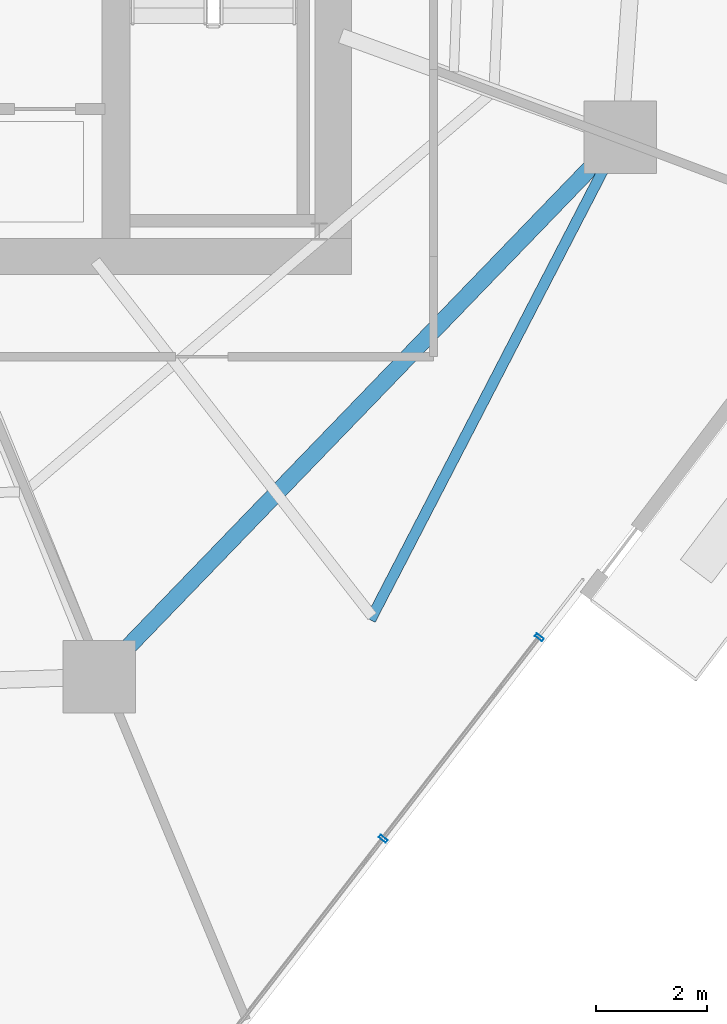
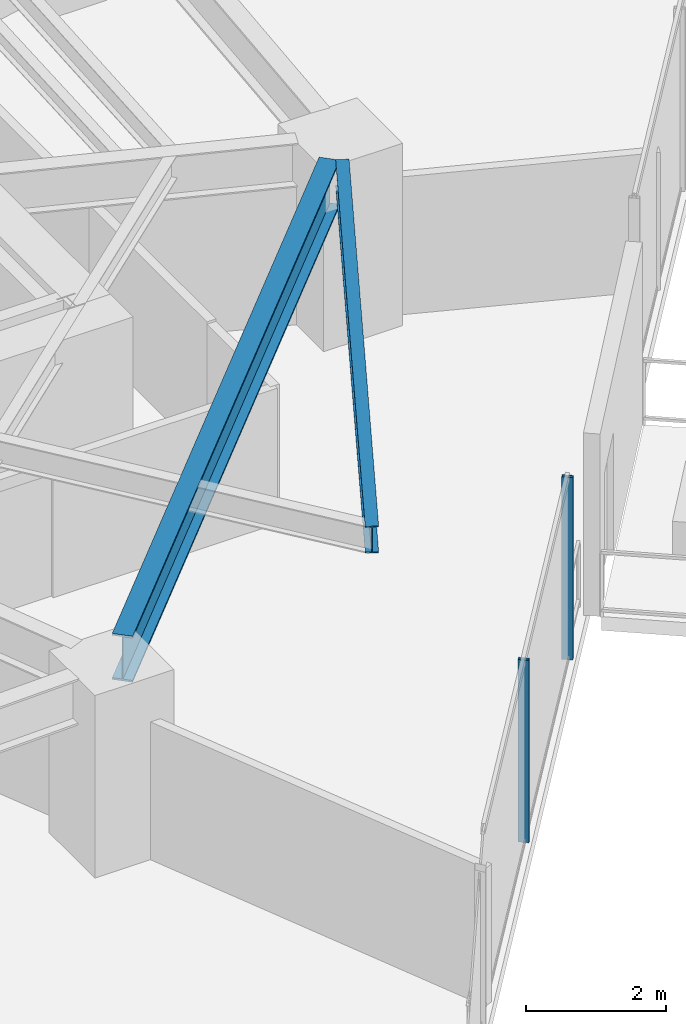
# One storey, part 11 of 30: 2 beams, 2 members, 1 element without a shape of its own.
"""IFC4 building model written with IfcOpenShell, lengths in metres."""

from ifc_helpers import new_model, si_unit, direction, frame, origin, origin_2d, place, context, subcontext, project, spatial, hollow_rectangle, i_section, extrude, material, layer, layer_set, material_profile, profile_set, type_object, element, aggregate, save


model = new_model("IFC4")

# Units and contexts
model_context = context("Model", 3, precision=1e-05, world=origin(), true_north=direction((0.0, 1.0)))
body_context = subcontext(model_context, "Body", "Model", "MODEL_VIEW")
ifc_project = project(units=[si_unit("LENGTHUNIT", "METRE"), si_unit("AREAUNIT", "SQUARE_METRE"), si_unit("VOLUMEUNIT", "CUBIC_METRE"), si_unit("PLANEANGLEUNIT", "RADIAN"), si_unit("MASSUNIT", "GRAM", prefix="KILO")], contexts=[model_context])

# Site, building, storey
site_placement = place(None, origin())
site = spatial("IfcSite", under=ifc_project, at=site_placement, CompositionType="ELEMENT")
building_placement = place(site_placement, origin())
building = spatial("IfcBuilding", under=site, at=building_placement, Name="Qarnah Convention Tower", CompositionType="ELEMENT")
storey_placement = place(building_placement, frame((0.0, 0.0, 40.800048828125)))
storey = spatial("IfcBuildingStorey", under=building, at=storey_placement, Name="L09", CompositionType="ELEMENT", Elevation=40.800048828125)

# Beams
ifc_material_1 = material(Name="Structural steel S355JR", Category="steel")
ifc_material_profile_1 = material_profile(ifc_material_1, i_section(OverallWidth=0.19189453125, OverallDepth=0.464111328125, WebThickness=0.010986328125, FlangeThickness=0.01806640625, at=origin_2d()), Name="W460X89")
ifc_profile_set_1 = profile_set([ifc_material_profile_1], Name="Structural steel S355JR")
beam_type_1 = type_object("IfcBeamType", Name="BM-CANT-W460A", PredefinedType="BEAM", material=ifc_profile_set_1)
beam_1_placement = place(storey_placement, frame((48.26904296875, 12.074951171875, 2.93798828125), z_axis=(0.459489942742, 0.888182972432, 0.0), x_axis=(-0.888182972432, 0.459489942742, 0.0)))
element("IfcBeam", 1, at=beam_1_placement, inside=storey, type_object=beam_type_1, Name="L09 spandrel BM-L09-CTIE-03", PredefinedType="SPANDREL", context=body_context, shape_type="SweptSolid", body=[
    extrude(i_section(OverallWidth=0.19189453125, OverallDepth=0.464111328125, WebThickness=0.010986328125, FlangeThickness=0.01806640625, at=origin_2d()), origin(), (0.0, 0.0, 1.0), 9.116455078125),
])
ifc_material_profile_2 = material_profile(ifc_material_1, i_section(OverallWidth=0.300048828125, OverallDepth=0.800048828125, WebThickness=0.01806640625, FlangeThickness=0.032958984375, at=origin_2d()), Name="HEB800")
ifc_profile_set_2 = profile_set([ifc_material_profile_2], Name="Structural steel S355JR")
beam_type_2 = type_object("IfcBeamType", Name="BM-RING-HEB800", PredefinedType="BEAM", material=ifc_profile_set_2)
beam_2_placement = place(storey_placement, frame((43.844970703125, 11.514892578125, 2.77001953125), z_axis=(0.694553028655, 0.719441512832, 0.0), x_axis=(-0.719441512832, 0.694553028655, 0.0)))
element("IfcBeam", 2, at=beam_2_placement, inside=storey, type_object=beam_type_2, Name="L09 beam BM-L09-SPN-08", PredefinedType="BEAM", context=body_context, shape_type="SweptSolid", body=[
    extrude(i_section(OverallWidth=0.300048828125, OverallDepth=0.800048828125, WebThickness=0.01806640625, FlangeThickness=0.032958984375, at=origin_2d()), origin(), (0.0, 0.0, 1.0), 12.183349609375),
])

# Curtain wall, members
ifc_material_2 = material(Name="Tempered Low-E dark glass", Category="glass")
ifc_layer = layer(ifc_material_2, 0.16796875)
ifc_layer_set = layer_set([ifc_layer], Name="Tempered Low-E dark glass")
curtain_wall_type = type_object("IfcCurtainWallType", Name="CWS-01", PredefinedType="NOTDEFINED", material=ifc_layer_set)
curtain_wall_placement = place(storey_placement, origin())
curtain_wall = element("IfcCurtainWall", 3, at=curtain_wall_placement, inside=storey, type_object=curtain_wall_type, Name="L09 unitised curtain wall CW-L09-F4", PredefinedType="NOTDEFINED")
ifc_material_3 = material(Name="Black anodised aluminium", Category="aluminium")
ifc_material_profile_3 = material_profile(ifc_material_3, hollow_rectangle(XDim=0.06005859375, YDim=0.159912109375, WallThickness=0.00390625, at=origin_2d()), Name="MUL-60X160")
ifc_profile_set_3 = profile_set([ifc_material_profile_3], Name="Black anodised aluminium")
member_type = type_object("IfcMemberType", Name="MUL-T1", PredefinedType="MULLION", material=ifc_profile_set_3)
member_1_placement = place(storey_placement, frame((51.302978515625, 11.760009765625, 0.0), z_axis=(0.0, 0.0, 1.0), x_axis=(-0.613073122796, -0.790026167987, 0.0)))
member_1 = element("IfcMember", 4, at=member_1_placement, type_object=member_type, Name="CW-L09-F4 mullion 1", PredefinedType="MULLION", context=body_context, shape_type="SweptSolid", body=[
    extrude(hollow_rectangle(XDim=0.06005859375, YDim=0.159912109375, WallThickness=0.00390625, at=origin_2d()), origin(), (0.0, 0.0, 1.0), 3.169921875),
])
member_2_placement = place(storey_placement, frame((48.49658203125, 8.1435546875, 0.0), z_axis=(0.0, 0.0, 1.0), x_axis=(-0.613073122796, -0.790026167987, 0.0)))
member_2 = element("IfcMember", 5, at=member_2_placement, type_object=member_type, Name="CW-L09-F4 mullion 2", PredefinedType="MULLION", context=body_context, shape_type="SweptSolid", body=[
    extrude(hollow_rectangle(XDim=0.06005859375, YDim=0.159912109375, WallThickness=0.00390625, at=origin_2d()), origin(), (0.0, 0.0, 1.0), 3.169921875),
])
aggregate(curtain_wall, [member_1, member_2])

save(model, "model.ifc")
